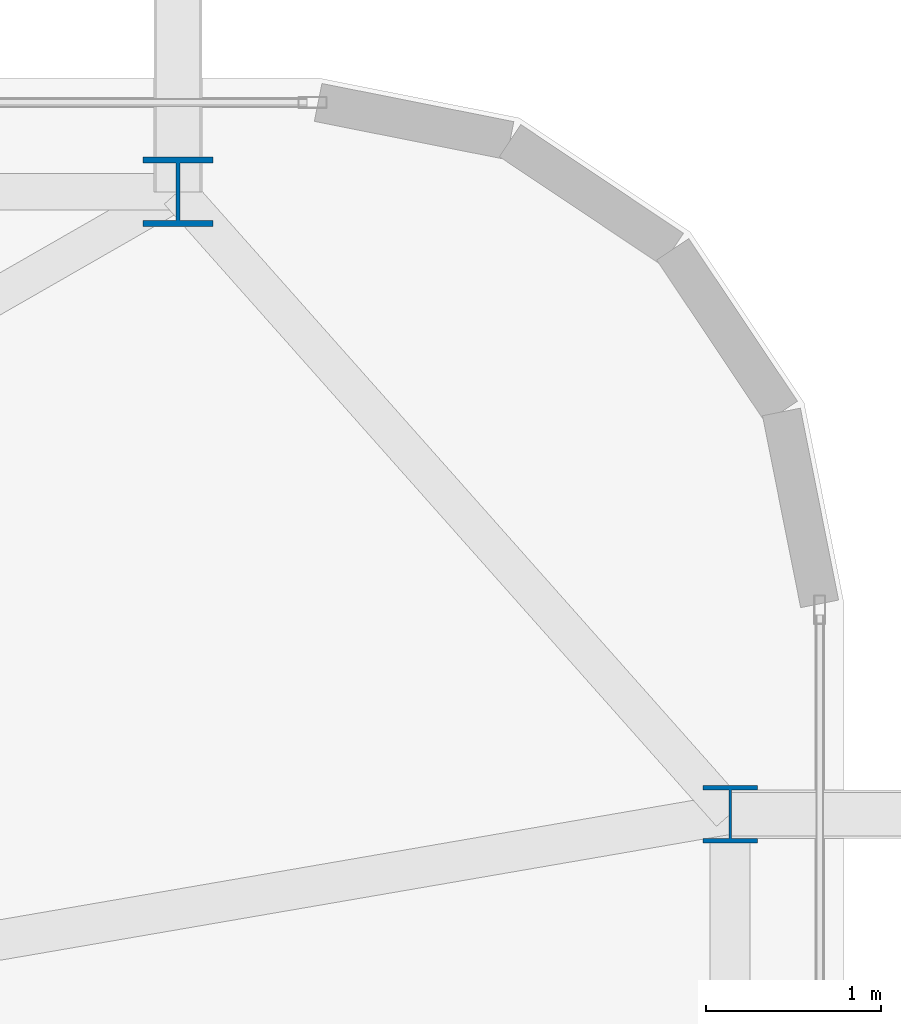
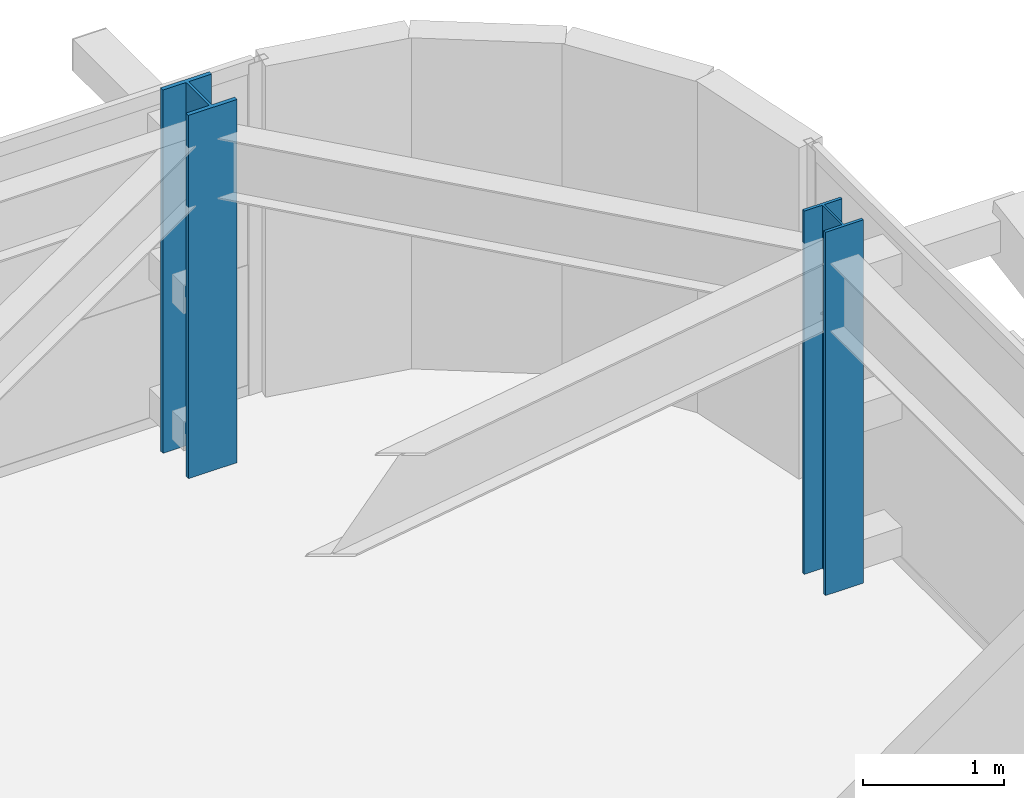
# One storey, part 4 of 45: 2 columns.
"""IFC4 building model written with IfcOpenShell, lengths in metres."""

from ifc_helpers import new_model, si_unit, direction, frame, origin, origin_2d, place, context, subcontext, project, spatial, i_section, extrude, source, transform, mapped, material, material_profile, profile_set, type_object, element, save


model = new_model("IFC4")

# Units and contexts
model_context = context("Model", 3, precision=1e-05, world=origin(), true_north=direction((0.0, 1.0)))
body_context = subcontext(model_context, "Body", "Model", "MODEL_VIEW")
ifc_project = project(units=[si_unit("LENGTHUNIT", "METRE"), si_unit("AREAUNIT", "SQUARE_METRE"), si_unit("VOLUMEUNIT", "CUBIC_METRE"), si_unit("PLANEANGLEUNIT", "RADIAN"), si_unit("MASSUNIT", "GRAM", prefix="KILO")], contexts=[model_context])

# Site, building, storey
site_placement = place(None, origin())
site = spatial("IfcSite", under=ifc_project, at=site_placement, CompositionType="ELEMENT")
building_placement = place(site_placement, origin())
building = spatial("IfcBuilding", under=site, at=building_placement, Name="Taldren Reach Tower", CompositionType="ELEMENT")
storey_placement = place(building_placement, frame((0.0, 0.0, 57.75)))
storey = spatial("IfcBuildingStorey", under=building, at=storey_placement, Name="L17", CompositionType="ELEMENT", Elevation=57.75)

# Columns
ifc_material = material(Name="Steel Gr 350 (350PLUS)", Category="steel")
ifc_material_profile_1 = material_profile(ifc_material, i_section(OverallWidth=0.39990234375, OverallDepth=0.39599609375, WebThickness=0.02197265625, FlangeThickness=0.033935546875, at=origin_2d()), Name="400WC270")
ifc_profile_set_1 = profile_set([ifc_material_profile_1], Name="Steel Gr 350 (350PLUS)")
column_type_1 = type_object("IfcColumnType", Name="COL-WC400", PredefinedType="COLUMN", material=ifc_profile_set_1)
shared_shape_1 = source(origin(), body_context, "Body", "SweptSolid", [
    extrude(i_section(OverallWidth=0.39990234375, OverallDepth=0.39599609375, WebThickness=0.02197265625, FlangeThickness=0.033935546875, at=origin_2d()), origin(), (0.0, 0.0, 1.0), 3.14990234375),
])
column_1_placement = place(storey_placement, frame((61.199951171875, 37.85009765625, 0.0), z_axis=(0.0, 0.0, 1.0), x_axis=(1.0, 0.0, 0.0)))
element("IfcColumn", 1, at=column_1_placement, inside=storey, type_object=column_type_1, Name="Block B1 perimeter column N6 L17", PredefinedType="COLUMN", context=body_context, shape_type="MappedRepresentation", body=[
    mapped(shared_shape_1, transform((0.0, 0.0, 0.0), scale=1.0)),
])
ifc_material_profile_2 = material_profile(ifc_material, i_section(OverallWidth=0.31103515625, OverallDepth=0.326904296875, WebThickness=0.015625, FlangeThickness=0.02490234375, at=origin_2d()), Name="310UC158")
ifc_profile_set_2 = profile_set([ifc_material_profile_2], Name="Steel Gr 350 (350PLUS)")
column_type_2 = type_object("IfcColumnType", Name="COL-UC310A", PredefinedType="COLUMN", material=ifc_profile_set_2)
shared_shape_2 = source(origin(), body_context, "Body", "SweptSolid", [
    extrude(i_section(OverallWidth=0.31103515625, OverallDepth=0.326904296875, WebThickness=0.015625, FlangeThickness=0.02490234375, at=origin_2d()), origin(), (0.0, 0.0, 1.0), 3.14990234375),
])
column_2_placement = place(storey_placement, frame((64.35009765625, 34.300048828125, 0.0), z_axis=(0.0, 0.0, 1.0), x_axis=(1.0, 0.0, 0.0)))
element("IfcColumn", 2, at=column_2_placement, inside=storey, type_object=column_type_2, Name="Block B1 perimeter column E3 L17", PredefinedType="COLUMN", context=body_context, shape_type="MappedRepresentation", body=[
    mapped(shared_shape_2, transform((0.0, 0.0, 0.0), scale=1.0)),
])

save(model, "model.ifc")
